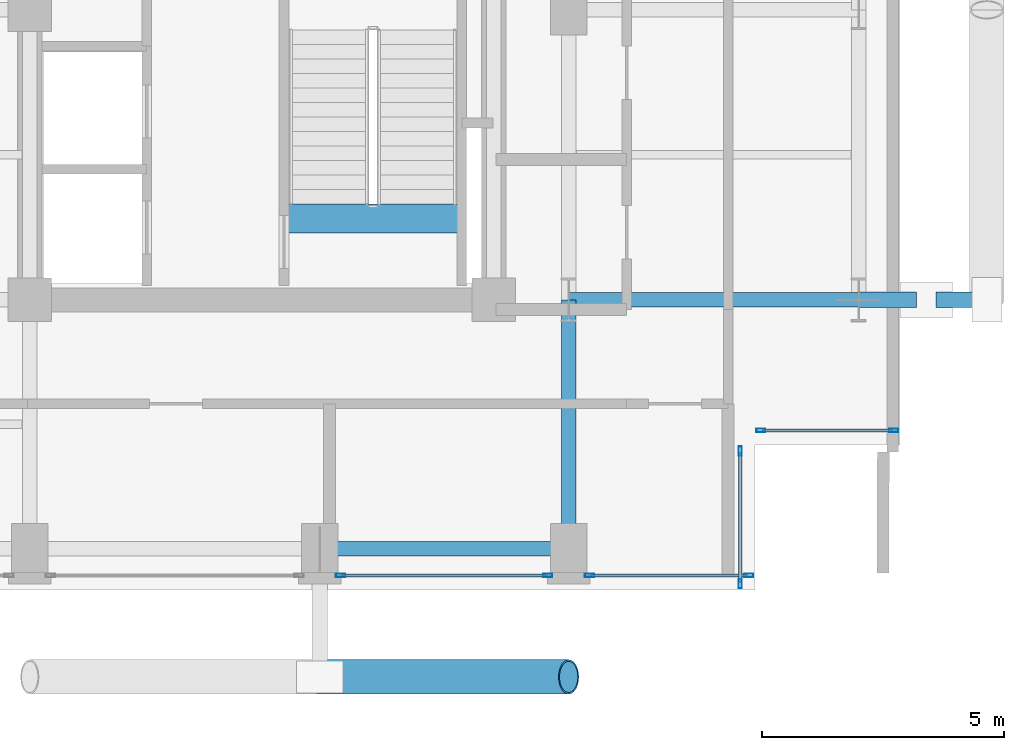
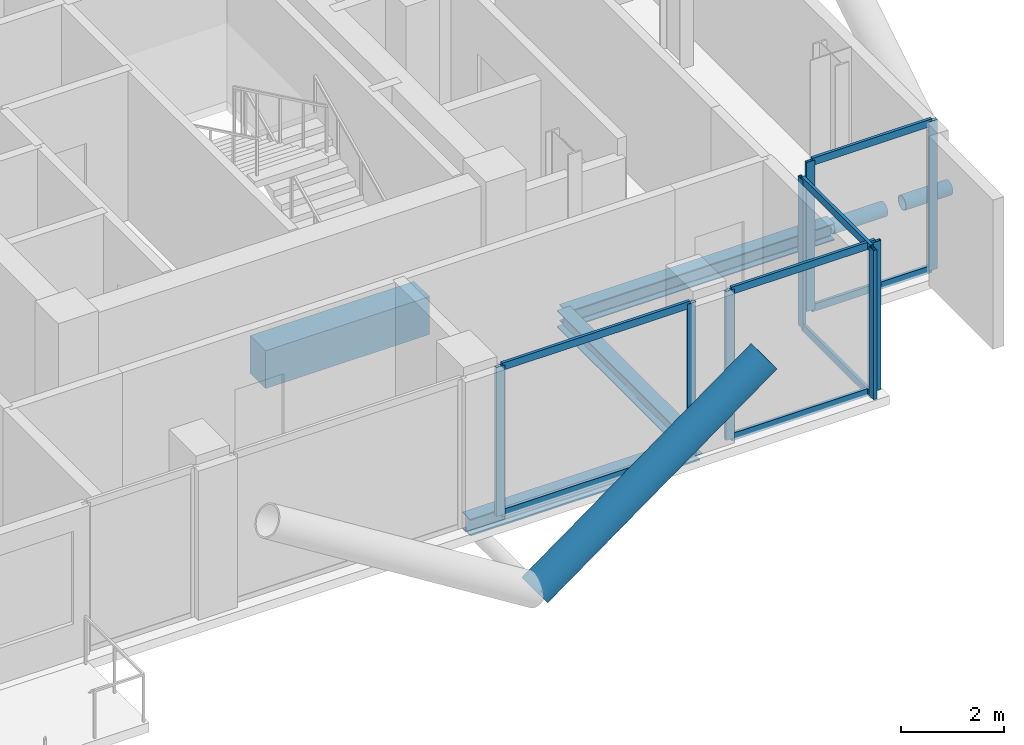
# One storey, part 10 of 21: 19 members, 4 beams, 4 elements without a shape of their own.
"""IFC4 building model written with IfcOpenShell, lengths in metres."""

from ifc_helpers import new_model, si_unit, direction, frame, origin, origin_2d, place, context, subcontext, project, spatial, rectangle, hollow_rectangle, hollow_circle, i_section, extrude, material, layer, layer_set, material_profile, profile_set, type_object, element, aggregate, save


model = new_model("IFC4")

# Units and contexts
model_context = context("Model", 3, precision=1e-05, world=origin(), true_north=direction((0.0, 1.0)))
body_context = subcontext(model_context, "Body", "Model", "MODEL_VIEW")
ifc_project = project(units=[si_unit("LENGTHUNIT", "METRE"), si_unit("AREAUNIT", "SQUARE_METRE"), si_unit("VOLUMEUNIT", "CUBIC_METRE"), si_unit("PLANEANGLEUNIT", "RADIAN"), si_unit("MASSUNIT", "GRAM", prefix="KILO"), si_unit("THERMODYNAMICTEMPERATUREUNIT", "KELVIN"), si_unit("POWERUNIT", "WATT")], contexts=[model_context])

# Site, building, storey
site_placement = place(None, origin())
site = spatial("IfcSite", under=ifc_project, at=site_placement, CompositionType="ELEMENT")
building_placement = place(site_placement, origin())
building = spatial("IfcBuilding", under=site, at=building_placement, Name="Svarakhadi Broadcast Tower", CompositionType="ELEMENT")
storey_placement = place(building_placement, frame((0.0, 0.0, 187.949951171875)))
storey = spatial("IfcBuildingStorey", under=building, at=storey_placement, Name="L46", CompositionType="ELEMENT", Elevation=187.949951171875)

# Curtain wall, members
ifc_material_1 = material(Name="Anodised Bronze Aluminium AA 6063-T6", Category="aluminium")
ifc_layer = layer(ifc_material_1, 0.18994140625)
ifc_layer_set = layer_set([ifc_layer], Name="Anodised Bronze Aluminium AA 6063-T6")
curtain_wall_type = type_object("IfcCurtainWallType", Name="CW_Sys_04", PredefinedType="NOTDEFINED", material=ifc_layer_set)
curtain_wall_1_placement = place(storey_placement, origin())
curtain_wall_1 = element("IfcCurtainWall", 1, at=curtain_wall_1_placement, inside=storey, type_object=curtain_wall_type, Name="L46 Unitised Facade Curtain Wall 13", PredefinedType="NOTDEFINED")
ifc_material_profile_1 = material_profile(ifc_material_1, hollow_rectangle(XDim=0.070068359375, YDim=0.18994140625, WallThickness=0.005615234375, at=origin_2d()), Name="ALU MULLION 190x70x6")
ifc_profile_set_1 = profile_set([ifc_material_profile_1], Name="Anodised Bronze Aluminium AA 6063-T6")
member_type_1 = type_object("IfcMemberType", Name="CW_Sys_04_Mul", PredefinedType="MULLION", material=ifc_profile_set_1)
member_1_placement = place(storey_placement, frame((41.875, 3.300048828125, 0.0), z_axis=(0.0, 0.0, 1.0), x_axis=(0.0, -1.0, 0.0)))
member_1 = element("IfcMember", 2, at=member_1_placement, type_object=member_type_1, Name="CW-04 mullion 1", PredefinedType="MULLION", context=body_context, shape_type="SweptSolid", body=[
    extrude(hollow_rectangle(XDim=0.070068359375, YDim=0.18994140625, WallThickness=0.005615234375, at=origin_2d()), origin(), (0.0, 0.0, 1.0), 3.5400390625),
])
member_2_placement = place(storey_placement, frame((39.125, 3.300048828125, 0.0), z_axis=(0.0, 0.0, 1.0), x_axis=(0.0, -1.0, 0.0)))
member_2 = element("IfcMember", 3, at=member_2_placement, type_object=member_type_1, Name="CW-04 mullion 2", PredefinedType="MULLION", context=body_context, shape_type="SweptSolid", body=[
    extrude(hollow_rectangle(XDim=0.070068359375, YDim=0.18994140625, WallThickness=0.005615234375, at=origin_2d()), origin(), (0.0, 0.0, 1.0), 3.5400390625),
])

curtain_wall_2_placement = place(storey_placement, origin())
curtain_wall_2 = element("IfcCurtainWall", 4, at=curtain_wall_2_placement, inside=storey, type_object=curtain_wall_type, Name="L46 Unitised Facade Curtain Wall 14", PredefinedType="NOTDEFINED")
member_3_placement = place(storey_placement, frame((38.699951171875, 2.875, 0.0), z_axis=(0.0, 0.0, 1.0), x_axis=(1.0, 0.0, 0.0)))
member_3 = element("IfcMember", 5, at=member_3_placement, type_object=member_type_1, Name="CW-04 mullion 1", PredefinedType="MULLION", context=body_context, shape_type="SweptSolid", body=[
    extrude(hollow_rectangle(XDim=0.070068359375, YDim=0.18994140625, WallThickness=0.005615234375, at=origin_2d()), origin(), (0.0, 0.0, 1.0), 3.5400390625),
])
member_4_placement = place(storey_placement, frame((38.699951171875, 0.125, 0.0), z_axis=(0.0, 0.0, 1.0), x_axis=(1.0, 0.0, 0.0)))
member_4 = element("IfcMember", 6, at=member_4_placement, type_object=member_type_1, Name="CW-04 mullion 2", PredefinedType="MULLION", context=body_context, shape_type="SweptSolid", body=[
    extrude(hollow_rectangle(XDim=0.070068359375, YDim=0.18994140625, WallThickness=0.005615234375, at=origin_2d()), origin(), (0.0, 0.0, 1.0), 3.5400390625),
])

curtain_wall_3_placement = place(storey_placement, origin())
curtain_wall_3 = element("IfcCurtainWall", 7, at=curtain_wall_3_placement, inside=storey, type_object=curtain_wall_type, Name="L46 South Curtain Wall 15 Bay 1", PredefinedType="NOTDEFINED")
member_5_placement = place(storey_placement, frame((38.875, 0.300048828125, 0.0), z_axis=(0.0, 0.0, 1.0), x_axis=(0.0, -1.0, 0.0)))
member_5 = element("IfcMember", 8, at=member_5_placement, type_object=member_type_1, Name="CW-04 mullion 1", PredefinedType="MULLION", context=body_context, shape_type="SweptSolid", body=[
    extrude(hollow_rectangle(XDim=0.070068359375, YDim=0.18994140625, WallThickness=0.005615234375, at=origin_2d()), origin(), (0.0, 0.0, 1.0), 3.5400390625),
])
member_6_placement = place(storey_placement, frame((35.580078125, 0.300048828125, 0.0), z_axis=(0.0, 0.0, 1.0), x_axis=(0.0, -1.0, 0.0)))
member_6 = element("IfcMember", 9, at=member_6_placement, type_object=member_type_1, Name="CW-04 mullion 2", PredefinedType="MULLION", context=body_context, shape_type="SweptSolid", body=[
    extrude(hollow_rectangle(XDim=0.070068359375, YDim=0.18994140625, WallThickness=0.005615234375, at=origin_2d()), origin(), (0.0, 0.0, 1.0), 3.5400390625),
])

curtain_wall_4_placement = place(storey_placement, origin())
curtain_wall_4 = element("IfcCurtainWall", 10, at=curtain_wall_4_placement, inside=storey, type_object=curtain_wall_type, Name="L46 South Curtain Wall 15 Bay 2", PredefinedType="NOTDEFINED")
member_7_placement = place(storey_placement, frame((34.719970703125, 0.300048828125, 0.0), z_axis=(0.0, 0.0, 1.0), x_axis=(0.0, -1.0, 0.0)))
member_7 = element("IfcMember", 11, at=member_7_placement, type_object=member_type_1, Name="CW-04 mullion 1", PredefinedType="MULLION", context=body_context, shape_type="SweptSolid", body=[
    extrude(hollow_rectangle(XDim=0.070068359375, YDim=0.18994140625, WallThickness=0.005615234375, at=origin_2d()), origin(), (0.0, 0.0, 1.0), 3.5400390625),
])
member_8_placement = place(storey_placement, frame((30.429931640625, 0.300048828125, 0.0), z_axis=(0.0, 0.0, 1.0), x_axis=(0.0, -1.0, 0.0)))
member_8 = element("IfcMember", 12, at=member_8_placement, type_object=member_type_1, Name="CW-04 mullion 2", PredefinedType="MULLION", context=body_context, shape_type="SweptSolid", body=[
    extrude(hollow_rectangle(XDim=0.070068359375, YDim=0.18994140625, WallThickness=0.005615234375, at=origin_2d()), origin(), (0.0, 0.0, 1.0), 3.5400390625),
])

# Member
ifc_material_profile_2 = material_profile(ifc_material_1, hollow_rectangle(XDim=0.06494140625, YDim=0.175048828125, WallThickness=0.0048828125, at=origin_2d()), Name="ALU TRANSOM 175x65x5")
ifc_profile_set_2 = profile_set([ifc_material_profile_2], Name="Anodised Bronze Aluminium AA 6063-T6")
member_type_2 = type_object("IfcMemberType", Name="CW_Sys_04_Trn", PredefinedType="USERDEFINED", material=ifc_profile_set_2)
member_9_placement = place(storey_placement, frame((41.840087890625, 3.300048828125, 0.032470703125), z_axis=(-1.0, 0.0, 0.0), x_axis=(0.0, -1.0, 0.0)))
member_9 = element("IfcMember", 13, at=member_9_placement, type_object=member_type_2, Name="CW-04 transom 1.1", ObjectType="TRANSOM", PredefinedType="USERDEFINED", context=body_context, shape_type="SweptSolid", body=[
    extrude(hollow_rectangle(XDim=0.06494140625, YDim=0.175048828125, WallThickness=0.0048828125, at=origin_2d()), origin(), (0.0, 0.0, 1.0), 2.68017578125),
])

member_10_placement = place(storey_placement, frame((41.840087890625, 3.300048828125, 3.507568359375), z_axis=(-1.0, 0.0, 0.0), x_axis=(0.0, -1.0, 0.0)))
member_10 = element("IfcMember", 14, at=member_10_placement, type_object=member_type_2, Name="CW-04 transom 1.2", ObjectType="TRANSOM", PredefinedType="USERDEFINED", context=body_context, shape_type="SweptSolid", body=[
    extrude(hollow_rectangle(XDim=0.06494140625, YDim=0.175048828125, WallThickness=0.0048828125, at=origin_2d()), origin(), (0.0, 0.0, 1.0), 2.68017578125),
])

aggregate(curtain_wall_1, [member_1, member_2, member_9, member_10])

member_11_placement = place(storey_placement, frame((38.699951171875, 2.840087890625, 0.032470703125), z_axis=(0.0, -1.0, 0.0), x_axis=(1.0, 0.0, 0.0)))
member_11 = element("IfcMember", 15, at=member_11_placement, type_object=member_type_2, Name="CW-04 transom 1.1", ObjectType="TRANSOM", PredefinedType="USERDEFINED", context=body_context, shape_type="SweptSolid", body=[
    extrude(hollow_rectangle(XDim=0.06494140625, YDim=0.175048828125, WallThickness=0.0048828125, at=origin_2d()), origin(), (0.0, 0.0, 1.0), 2.68017578125),
])

member_12_placement = place(storey_placement, frame((38.699951171875, 2.840087890625, 3.507568359375), z_axis=(0.0, -1.0, 0.0), x_axis=(1.0, 0.0, 0.0)))
member_12 = element("IfcMember", 16, at=member_12_placement, type_object=member_type_2, Name="CW-04 transom 1.2", ObjectType="TRANSOM", PredefinedType="USERDEFINED", context=body_context, shape_type="SweptSolid", body=[
    extrude(hollow_rectangle(XDim=0.06494140625, YDim=0.175048828125, WallThickness=0.0048828125, at=origin_2d()), origin(), (0.0, 0.0, 1.0), 2.68017578125),
])

aggregate(curtain_wall_2, [member_3, member_4, member_11, member_12])

member_13_placement = place(storey_placement, frame((38.840087890625, 0.300048828125, 0.032470703125), z_axis=(-1.0, 0.0, 0.0), x_axis=(0.0, -1.0, 0.0)))
member_13 = element("IfcMember", 17, at=member_13_placement, type_object=member_type_2, Name="CW-04 transom 1.1", ObjectType="TRANSOM", PredefinedType="USERDEFINED", context=body_context, shape_type="SweptSolid", body=[
    extrude(hollow_rectangle(XDim=0.06494140625, YDim=0.175048828125, WallThickness=0.0048828125, at=origin_2d()), origin(), (0.0, 0.0, 1.0), 3.22509765625),
])

member_14_placement = place(storey_placement, frame((38.840087890625, 0.300048828125, 3.507568359375), z_axis=(-1.0, 0.0, 0.0), x_axis=(0.0, -1.0, 0.0)))
member_14 = element("IfcMember", 18, at=member_14_placement, type_object=member_type_2, Name="CW-04 transom 1.2", ObjectType="TRANSOM", PredefinedType="USERDEFINED", context=body_context, shape_type="SweptSolid", body=[
    extrude(hollow_rectangle(XDim=0.06494140625, YDim=0.175048828125, WallThickness=0.0048828125, at=origin_2d()), origin(), (0.0, 0.0, 1.0), 3.22509765625),
])

aggregate(curtain_wall_3, [member_5, member_6, member_13, member_14])

member_15_placement = place(storey_placement, frame((34.68505859375, 0.300048828125, 0.032470703125), z_axis=(-1.0, 0.0, 0.0), x_axis=(0.0, -1.0, 0.0)))
member_15 = element("IfcMember", 19, at=member_15_placement, type_object=member_type_2, Name="CW-04 transom 1.1", ObjectType="TRANSOM", PredefinedType="USERDEFINED", context=body_context, shape_type="SweptSolid", body=[
    extrude(hollow_rectangle(XDim=0.06494140625, YDim=0.175048828125, WallThickness=0.0048828125, at=origin_2d()), origin(), (0.0, 0.0, 1.0), 4.219970703125),
])

member_16_placement = place(storey_placement, frame((34.68505859375, 0.300048828125, 3.507568359375), z_axis=(-1.0, 0.0, 0.0), x_axis=(0.0, -1.0, 0.0)))
member_16 = element("IfcMember", 20, at=member_16_placement, type_object=member_type_2, Name="CW-04 transom 1.2", ObjectType="TRANSOM", PredefinedType="USERDEFINED", context=body_context, shape_type="SweptSolid", body=[
    extrude(hollow_rectangle(XDim=0.06494140625, YDim=0.175048828125, WallThickness=0.0048828125, at=origin_2d()), origin(), (0.0, 0.0, 1.0), 4.219970703125),
])

aggregate(curtain_wall_4, [member_7, member_8, member_15, member_16])

# Beam
ifc_material_2 = material(Name="Concrete C50/60 (IS 456 M60)", Category="concrete")
ifc_material_profile_3 = material_profile(ifc_material_2, rectangle(XDim=0.60009765625, YDim=0.89990234375, at=origin_2d()), Name="RC 600x900")
ifc_profile_set_3 = profile_set([ifc_material_profile_3], Name="Concrete C50/60 (IS 456 M60)")
beam_type_1 = type_object("IfcBeamType", Name="Coupling_RC600", PredefinedType="USERDEFINED", material=ifc_profile_set_3)
beam_1_placement = place(storey_placement, frame((29.260009765625, 7.679931640625, -0.449951171875), z_axis=(1.0, 0.0, 0.0), x_axis=(0.0, 1.0, 0.0)))
element("IfcBeam", 21, at=beam_1_placement, inside=storey, type_object=beam_type_1, Name="L46 Stair ST-02 Landing Throat Trimmer Beam CB-01", ObjectType="GIRDER", PredefinedType="USERDEFINED", context=body_context, shape_type="SweptSolid", body=[
    extrude(rectangle(XDim=0.60009765625, YDim=0.89990234375, at=origin_2d()), origin(), (0.0, 0.0, 1.0), 3.679931640625),
])

# Members
ifc_material_3 = material(Name="Steel S460ML (IS 2062 E450BR)", Category="steel")
ifc_material_profile_4 = material_profile(ifc_material_3, hollow_circle(Radius=0.35546875, WallThickness=0.034912109375, at=origin_2d()), Name="CHS 711x35")
ifc_profile_set_4 = profile_set([ifc_material_profile_4], Name="Steel S460ML (IS 2062 E450BR)")
member_type_3 = type_object("IfcMemberType", Name="Exo_Brace_CHS711", PredefinedType="BRACE", material=ifc_profile_set_4)
member_17_placement = place(storey_placement, frame((30.0, -1.800048828125, -0.371826171875), z_axis=(0.808391243061, 0.0, 0.588645562407), x_axis=(0.0, 1.0, 0.0)))
element("IfcMember", 22, at=member_17_placement, inside=storey, type_object=member_type_3, Name="L46 Exposed Bronze Exoskeleton Diagonal S02", PredefinedType="BRACE", context=body_context, shape_type="SweptSolid", body=[
    extrude(hollow_circle(Radius=0.35546875, WallThickness=0.034912109375, at=origin_2d()), origin(), (0.0, 0.0, 1.0), 6.37060546875),
])
ifc_material_profile_5 = material_profile(ifc_material_3, hollow_circle(Radius=0.161865234375, WallThickness=0.01611328125, at=origin_2d()), Name="CHS 323.9x16")
ifc_profile_set_5 = profile_set([ifc_material_profile_5], Name="Steel S460ML (IS 2062 E450BR)")
member_type_4 = type_object("IfcMemberType", Name="Exo_Radial_Strut_Z2", PredefinedType="STRUT", material=ifc_profile_set_5)
member_18_placement = place(storey_placement, frame((43.800048828125, 6.0, -0.371826171875), z_axis=(-1.0, 0.0, 0.0), x_axis=(0.0, -1.0, 0.0)))
element("IfcMember", 23, at=member_18_placement, inside=storey, type_object=member_type_4, Name="L46 Exoskeleton Radial Tie Strut E07A", PredefinedType="STRUT", context=body_context, shape_type="SweptSolid", body=[
    extrude(hollow_circle(Radius=0.161865234375, WallThickness=0.01611328125, at=origin_2d()), origin(), (0.0, 0.0, 1.0), 1.0517578125),
])
member_19_placement = place(storey_placement, frame((42.34228515625, 6.0, -0.371826171875), z_axis=(-1.0, 0.0, 0.0), x_axis=(0.0, -1.0, 0.0)))
element("IfcMember", 24, at=member_19_placement, inside=storey, type_object=member_type_4, Name="L46 Exoskeleton Radial Tie Strut E07B", PredefinedType="STRUT", context=body_context, shape_type="SweptSolid", body=[
    extrude(hollow_circle(Radius=0.161865234375, WallThickness=0.01611328125, at=origin_2d()), origin(), (0.0, 0.0, 1.0), 1.1923828125),
])

# Beams
ifc_material_4 = material(Name="Steel S355J2 (IS 2062 E350C)", Category="steel")
ifc_material_profile_6 = material_profile(ifc_material_4, i_section(OverallWidth=0.300048828125, OverallDepth=0.39990234375, WebThickness=0.013427734375, FlangeThickness=0.02392578125, FilletRadius=0.027099609375, at=origin_2d()), Name="WPB 400x300x155")
ifc_profile_set_6 = profile_set([ifc_material_profile_6], Name="Steel S355J2 (IS 2062 E350C)")
beam_type_2 = type_object("IfcBeamType", Name="Girder_WPB400", PredefinedType="USERDEFINED", material=ifc_profile_set_6)
beam_2_placement = place(storey_placement, frame((30.0, 0.85009765625, -0.409912109375), z_axis=(1.0, 0.0, 0.0), x_axis=(0.0, 1.0, 0.0)))
element("IfcBeam", 25, at=beam_2_placement, inside=storey, type_object=beam_type_2, Name="L46 Primary E-W Girder G008", ObjectType="GIRDER", PredefinedType="USERDEFINED", context=body_context, shape_type="SweptSolid", body=[
    extrude(i_section(OverallWidth=0.300048828125, OverallDepth=0.39990234375, WebThickness=0.013427734375, FlangeThickness=0.02392578125, FilletRadius=0.027099609375, at=origin_2d()), origin(), (0.0, 0.0, 1.0), 5.14990234375),
])
beam_3_placement = place(storey_placement, frame((35.14990234375, 6.0, -0.409912109375), z_axis=(1.0, 0.0, 0.0), x_axis=(0.0, 1.0, 0.0)))
element("IfcBeam", 26, at=beam_3_placement, inside=storey, type_object=beam_type_2, Name="L46 Primary E-W Girder G014", ObjectType="GIRDER", PredefinedType="USERDEFINED", context=body_context, shape_type="SweptSolid", body=[
    extrude(i_section(OverallWidth=0.300048828125, OverallDepth=0.39990234375, WebThickness=0.013427734375, FlangeThickness=0.02392578125, FilletRadius=0.027099609375, at=origin_2d()), origin(), (0.0, 0.0, 1.0), 6.0),
])
beam_4_placement = place(storey_placement, frame((35.14990234375, 0.85009765625, -0.409912109375), z_axis=(0.0, 1.0, 0.0), x_axis=(-1.0, 0.0, 0.0)))
element("IfcBeam", 27, at=beam_4_placement, inside=storey, type_object=beam_type_2, Name="L46 Primary N-S Girder G056", ObjectType="GIRDER", PredefinedType="USERDEFINED", context=body_context, shape_type="SweptSolid", body=[
    extrude(i_section(OverallWidth=0.300048828125, OverallDepth=0.39990234375, WebThickness=0.013427734375, FlangeThickness=0.02392578125, FilletRadius=0.027099609375, at=origin_2d()), origin(), (0.0, 0.0, 1.0), 5.14990234375),
])

save(model, "model.ifc")
